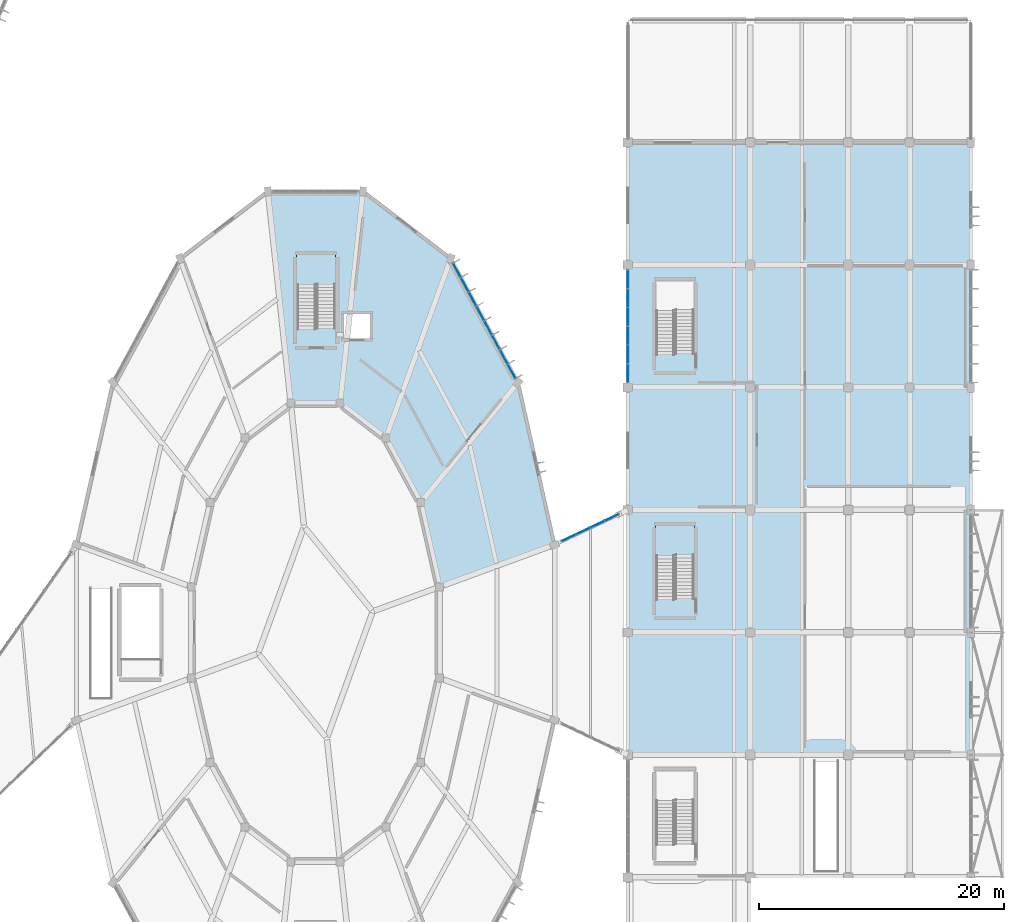
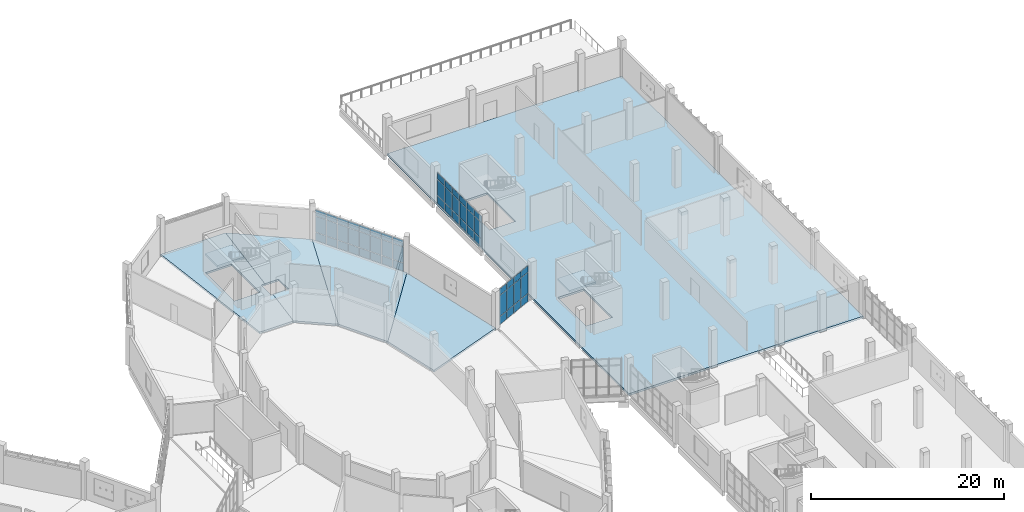
# One storey, part 106 of 179: 54 plates, 7 slabs, 5 elements without a shape of their own.
"""IFC4 building model written with IfcOpenShell, lengths in metres."""

from ifc_helpers import new_model, si_unit, direction, frame, origin, origin_2d, place, context, subcontext, project, spatial, polyline, rectangle, outline, extrude, material, layer, layer_set, type_object, element, aggregate, save


model = new_model("IFC4")

# Units and contexts
model_context = context("Model", 3, precision=1e-05, world=origin(), true_north=direction((0.0, 1.0)))
body_context = subcontext(model_context, "Body", "Model", "MODEL_VIEW")
ifc_project = project(units=[si_unit("LENGTHUNIT", "METRE"), si_unit("AREAUNIT", "SQUARE_METRE"), si_unit("VOLUMEUNIT", "CUBIC_METRE"), si_unit("PLANEANGLEUNIT", "RADIAN"), si_unit("MASSUNIT", "GRAM", prefix="KILO")], contexts=[model_context])

# Site, building, storey
site_placement = place(None, origin())
site = spatial("IfcSite", under=ifc_project, at=site_placement, CompositionType="ELEMENT")
building_placement = place(site_placement, origin())
building = spatial("IfcBuilding", under=site, at=building_placement, Name="Corvandel Quay Wholesale Market", CompositionType="ELEMENT")
storey_placement = place(building_placement, frame((0.0, 0.0, 6.0)))
storey = spatial("IfcBuildingStorey", under=building, at=storey_placement, Name="L01", CompositionType="ELEMENT", Elevation=6.0)

# Curtain wall, plates
ifc_material_1 = material(Name="Bronze anodised aluminium and low-E insulated glazing", Category="aluminium")
ifc_layer_1 = layer(ifc_material_1, 0.162109375)
ifc_layer_set_1 = layer_set([ifc_layer_1], Name="Bronze anodised aluminium and low-E insulated glazing")
curtain_wall_type_1 = type_object("IfcCurtainWallType", Name="Stick Curtain Wall System CW11 H3990", PredefinedType="NOTDEFINED", material=ifc_layer_set_1)
curtain_wall_1_placement = place(storey_placement, origin())
curtain_wall_1 = element("IfcCurtainWall", 1, at=curtain_wall_1_placement, inside=storey, type_object=curtain_wall_type_1, Name="Curtain Wall CW-0131", PredefinedType="NOTDEFINED")
ifc_material_2 = material(Name="Solar-control low-E insulated glazing", Category="glass")
ifc_layer_2 = layer(ifc_material_2, 0.0400390625)
ifc_layer_set_2 = layer_set([ifc_layer_2], Name="Solar-control low-E insulated glazing")
plate_type_1 = type_object("IfcPlateType", Name="Ceramic Fritted Spandrel Panel PN03 40mm", PredefinedType="CURTAIN_PANEL", material=ifc_layer_set_2)
plate_1_placement = place(storey_placement, frame((210.521484375, 81.332763671875, 3.1298828125), z_axis=(0.0, 0.0, 1.0), x_axis=(-0.476238203668, 0.879316310191, 0.0)))
plate_1 = element("IfcPlate", 2, at=plate_1_placement, type_object=plate_type_1, Name="Glazing Panel CW-0131-P00-2", PredefinedType="CURTAIN_PANEL", context=body_context, shape_type="SweptSolid", body=[
    extrude(rectangle(XDim=1.274658203125, YDim=0.0400390625, at=origin_2d()), origin(), (0.0, 0.0, 1.0), 0.7900390625),
])
plate_2_placement = place(storey_placement, frame((209.883544921875, 82.510498046875, 3.1298828125), z_axis=(0.0, 0.0, 1.0), x_axis=(-0.476238203668, 0.879316310191, 0.0)))
plate_2 = element("IfcPlate", 3, at=plate_2_placement, type_object=plate_type_1, Name="Glazing Panel CW-0131-P01-2", PredefinedType="CURTAIN_PANEL", context=body_context, shape_type="SweptSolid", body=[
    extrude(rectangle(XDim=1.274658203125, YDim=0.0400390625, at=origin_2d()), origin(), (0.0, 0.0, 1.0), 0.7900390625),
])
plate_3_placement = place(storey_placement, frame((209.24560546875, 83.688720703125, 3.1298828125), z_axis=(0.0, 0.0, 1.0), x_axis=(-0.476238203668, 0.879316310191, 0.0)))
plate_3 = element("IfcPlate", 4, at=plate_3_placement, type_object=plate_type_1, Name="Glazing Panel CW-0131-P02-2", PredefinedType="CURTAIN_PANEL", context=body_context, shape_type="SweptSolid", body=[
    extrude(rectangle(XDim=1.274658203125, YDim=0.0400390625, at=origin_2d()), origin(), (0.0, 0.0, 1.0), 0.7900390625),
])
plate_4_placement = place(storey_placement, frame((208.607421875, 84.866455078125, 3.1298828125), z_axis=(0.0, 0.0, 1.0), x_axis=(-0.476238203668, 0.879316310191, 0.0)))
plate_4 = element("IfcPlate", 5, at=plate_4_placement, type_object=plate_type_1, Name="Glazing Panel CW-0131-P03-2", PredefinedType="CURTAIN_PANEL", context=body_context, shape_type="SweptSolid", body=[
    extrude(rectangle(XDim=1.274658203125, YDim=0.0400390625, at=origin_2d()), origin(), (0.0, 0.0, 1.0), 0.7900390625),
])
plate_5_placement = place(storey_placement, frame((207.969482421875, 86.04443359375, 3.1298828125), z_axis=(0.0, 0.0, 1.0), x_axis=(-0.476238203668, 0.879316310191, 0.0)))
plate_5 = element("IfcPlate", 6, at=plate_5_placement, type_object=plate_type_1, Name="Glazing Panel CW-0131-P04-2", PredefinedType="CURTAIN_PANEL", context=body_context, shape_type="SweptSolid", body=[
    extrude(rectangle(XDim=1.274658203125, YDim=0.0400390625, at=origin_2d()), origin(), (0.0, 0.0, 1.0), 0.7900390625),
])
plate_6_placement = place(storey_placement, frame((207.33154296875, 87.222412109375, 3.1298828125), z_axis=(0.0, 0.0, 1.0), x_axis=(-0.476238203668, 0.879316310191, 0.0)))
plate_6 = element("IfcPlate", 7, at=plate_6_placement, type_object=plate_type_1, Name="Glazing Panel CW-0131-P05-2", PredefinedType="CURTAIN_PANEL", context=body_context, shape_type="SweptSolid", body=[
    extrude(rectangle(XDim=1.274658203125, YDim=0.0400390625, at=origin_2d()), origin(), (0.0, 0.0, 1.0), 0.7900390625),
])
plate_7_placement = place(storey_placement, frame((206.693603515625, 88.400390625, 3.1298828125), z_axis=(0.0, 0.0, 1.0), x_axis=(-0.476238203668, 0.879316310191, 0.0)))
plate_7 = element("IfcPlate", 8, at=plate_7_placement, type_object=plate_type_1, Name="Glazing Panel CW-0131-P06-2", PredefinedType="CURTAIN_PANEL", context=body_context, shape_type="SweptSolid", body=[
    extrude(rectangle(XDim=1.274658203125, YDim=0.0400390625, at=origin_2d()), origin(), (0.0, 0.0, 1.0), 0.7900390625),
])
plate_8_placement = place(storey_placement, frame((206.055419921875, 89.578369140625, 3.1298828125), z_axis=(0.0, 0.0, 1.0), x_axis=(-0.476238203668, 0.879316310191, 0.0)))
plate_8 = element("IfcPlate", 9, at=plate_8_placement, type_object=plate_type_1, Name="Glazing Panel CW-0131-P07-2", PredefinedType="CURTAIN_PANEL", context=body_context, shape_type="SweptSolid", body=[
    extrude(rectangle(XDim=1.274658203125, YDim=0.0400390625, at=origin_2d()), origin(), (0.0, 0.0, 1.0), 0.7900390625),
])

ifc_layer_3 = layer(ifc_material_1, 0.162109375)
ifc_layer_set_3 = layer_set([ifc_layer_3], Name="Bronze anodised aluminium and low-E insulated glazing")
curtain_wall_type_2 = type_object("IfcCurtainWallType", Name="Stick Curtain Wall System CW26 H5340", PredefinedType="NOTDEFINED", material=ifc_layer_set_3)
curtain_wall_2_placement = place(storey_placement, origin())
curtain_wall_2 = element("IfcCurtainWall", 10, at=curtain_wall_2_placement, inside=storey, type_object=curtain_wall_type_2, Name="Curtain Wall CW-0155", PredefinedType="NOTDEFINED")
plate_9_placement = place(storey_placement, frame((220.0, 81.166748046875, 3.1298828125), z_axis=(0.0, 0.0, 1.0), x_axis=(0.0, 1.0, 0.0)))
plate_9 = element("IfcPlate", 11, at=plate_9_placement, type_object=plate_type_1, Name="Glazing Panel CW-0155-P00-2", PredefinedType="CURTAIN_PANEL", context=body_context, shape_type="SweptSolid", body=[
    extrude(rectangle(XDim=1.46826171875, YDim=0.0400390625, at=origin_2d()), origin(), (0.0, 0.0, 1.0), 0.7900390625),
])
plate_10_placement = place(storey_placement, frame((220.0, 82.699951171875, 3.1298828125), z_axis=(0.0, 0.0, 1.0), x_axis=(0.0, 1.0, 0.0)))
plate_10 = element("IfcPlate", 12, at=plate_10_placement, type_object=plate_type_1, Name="Glazing Panel CW-0155-P01-2", PredefinedType="CURTAIN_PANEL", context=body_context, shape_type="SweptSolid", body=[
    extrude(rectangle(XDim=1.46826171875, YDim=0.0400390625, at=origin_2d()), origin(), (0.0, 0.0, 1.0), 0.7900390625),
])
plate_11_placement = place(storey_placement, frame((220.0, 84.2333984375, 3.1298828125), z_axis=(0.0, 0.0, 1.0), x_axis=(0.0, 1.0, 0.0)))
plate_11 = element("IfcPlate", 13, at=plate_11_placement, type_object=plate_type_1, Name="Glazing Panel CW-0155-P02-2", PredefinedType="CURTAIN_PANEL", context=body_context, shape_type="SweptSolid", body=[
    extrude(rectangle(XDim=1.46826171875, YDim=0.0400390625, at=origin_2d()), origin(), (0.0, 0.0, 1.0), 0.7900390625),
])
plate_12_placement = place(storey_placement, frame((220.0, 85.7666015625, 3.1298828125), z_axis=(0.0, 0.0, 1.0), x_axis=(0.0, 1.0, 0.0)))
plate_12 = element("IfcPlate", 14, at=plate_12_placement, type_object=plate_type_1, Name="Glazing Panel CW-0155-P03-2", PredefinedType="CURTAIN_PANEL", context=body_context, shape_type="SweptSolid", body=[
    extrude(rectangle(XDim=1.46826171875, YDim=0.0400390625, at=origin_2d()), origin(), (0.0, 0.0, 1.0), 0.7900390625),
])
plate_13_placement = place(storey_placement, frame((220.0, 87.300048828125, 3.1298828125), z_axis=(0.0, 0.0, 1.0), x_axis=(0.0, 1.0, 0.0)))
plate_13 = element("IfcPlate", 15, at=plate_13_placement, type_object=plate_type_1, Name="Glazing Panel CW-0155-P04-2", PredefinedType="CURTAIN_PANEL", context=body_context, shape_type="SweptSolid", body=[
    extrude(rectangle(XDim=1.46826171875, YDim=0.0400390625, at=origin_2d()), origin(), (0.0, 0.0, 1.0), 0.7900390625),
])
plate_14_placement = place(storey_placement, frame((220.0, 88.833251953125, 3.1298828125), z_axis=(0.0, 0.0, 1.0), x_axis=(0.0, 1.0, 0.0)))
plate_14 = element("IfcPlate", 16, at=plate_14_placement, type_object=plate_type_1, Name="Glazing Panel CW-0155-P05-2", PredefinedType="CURTAIN_PANEL", context=body_context, shape_type="SweptSolid", body=[
    extrude(rectangle(XDim=1.46826171875, YDim=0.0400390625, at=origin_2d()), origin(), (0.0, 0.0, 1.0), 0.7900390625),
])

ifc_layer_4 = layer(ifc_material_1, 0.197998046875)
ifc_layer_set_4 = layer_set([ifc_layer_4], Name="Bronze anodised aluminium and low-E insulated glazing")
curtain_wall_type_3 = type_object("IfcCurtainWallType", Name="Stick Curtain Wall System CW24 H5160", PredefinedType="NOTDEFINED", material=ifc_layer_set_4)
curtain_wall_3_placement = place(storey_placement, origin())
curtain_wall_3 = element("IfcCurtainWall", 17, at=curtain_wall_3_placement, inside=storey, type_object=curtain_wall_type_3, Name="Curtain Wall CW-0181", PredefinedType="NOTDEFINED")
plate_15_placement = place(storey_placement, frame((215.186767578125, 67.722412109375, 3.7275390625), z_axis=(0.0, 0.0, 1.0), x_axis=(0.903933318548, 0.427673421689, 0.0)))
plate_15 = element("IfcPlate", 18, at=plate_15_placement, type_object=plate_type_1, Name="Glazing Panel CW-0181-P00-2", PredefinedType="CURTAIN_PANEL", context=body_context, shape_type="SweptSolid", body=[
    extrude(rectangle(XDim=1.235595703125, YDim=0.0400390625, at=origin_2d()), origin(), (0.0, 0.0, 1.0), 0.794921875),
])
plate_16_placement = place(storey_placement, frame((216.35791015625, 68.276611328125, 3.7275390625), z_axis=(0.0, 0.0, 1.0), x_axis=(0.903933318548, 0.427673421689, 0.0)))
plate_16 = element("IfcPlate", 19, at=plate_16_placement, type_object=plate_type_1, Name="Glazing Panel CW-0181-P01-2", PredefinedType="CURTAIN_PANEL", context=body_context, shape_type="SweptSolid", body=[
    extrude(rectangle(XDim=1.235595703125, YDim=0.0400390625, at=origin_2d()), origin(), (0.0, 0.0, 1.0), 0.794921875),
])
plate_17_placement = place(storey_placement, frame((217.529052734375, 68.830810546875, 3.7275390625), z_axis=(0.0, 0.0, 1.0), x_axis=(0.903933318548, 0.427673421689, 0.0)))
plate_17 = element("IfcPlate", 20, at=plate_17_placement, type_object=plate_type_1, Name="Glazing Panel CW-0181-P02-2", PredefinedType="CURTAIN_PANEL", context=body_context, shape_type="SweptSolid", body=[
    extrude(rectangle(XDim=1.235595703125, YDim=0.0400390625, at=origin_2d()), origin(), (0.0, 0.0, 1.0), 0.794921875),
])
plate_18_placement = place(storey_placement, frame((218.7001953125, 69.385009765625, 3.7275390625), z_axis=(0.0, 0.0, 1.0), x_axis=(0.903933318548, 0.427673421689, 0.0)))
plate_18 = element("IfcPlate", 21, at=plate_18_placement, type_object=plate_type_1, Name="Glazing Panel CW-0181-P03-2", PredefinedType="CURTAIN_PANEL", context=body_context, shape_type="SweptSolid", body=[
    extrude(rectangle(XDim=1.235595703125, YDim=0.0400390625, at=origin_2d()), origin(), (0.0, 0.0, 1.0), 0.794921875),
])

# Slabs
ifc_material_3 = material(Name="Concrete C40/50", Category="concrete")
ifc_layer_5 = layer(ifc_material_3, 0.260009765625)
ifc_layer_set_5 = layer_set([ifc_layer_5], Name="Concrete C40/50")
slab_type_1 = type_object("IfcSlabType", Name="Composite Market Canteen Floor Slab 260", PredefinedType="FLOOR", material=ifc_layer_set_5)
slab_1_placement = place(storey_placement, frame((0.0, 0.0, -0.260009765625)))
element("IfcSlab", 22, at=slab_1_placement, inside=storey, type_object=slab_type_1, Name="Slab SLB-0464", PredefinedType="FLOOR", context=body_context, shape_type="SweptSolid", body=[
    extrude(outline(polyline([(220.0, 100.0), (248.0, 100.0), (248.0, 50.0), (220.0, 50.0), (220.0, 100.0)]), holes=[polyline([(225.39990234375, 62.800048828125), (225.39990234375, 68.699951171875), (222.300048828125, 68.699951171875), (222.300048828125, 62.800048828125), (225.39990234375, 62.800048828125)]), polyline([(225.39990234375, 82.800048828125), (225.39990234375, 88.699951171875), (222.300048828125, 88.699951171875), (222.300048828125, 82.800048828125), (225.39990234375, 82.800048828125)])]), origin(), (0.0, 0.0, 1.0), 0.260009765625),
])
ifc_layer_6 = layer(ifc_material_3, 0.239990234375)
ifc_layer_set_6 = layer_set([ifc_layer_6], Name="Concrete C40/50")
slab_type_2 = type_object("IfcSlabType", Name="Composite Raked Auction Tier Slab 240", PredefinedType="FLOOR", material=ifc_layer_set_6)
slab_2_placement = place(storey_placement, frame((0.0, 0.0, -0.239990234375)))
element("IfcSlab", 23, at=slab_2_placement, inside=storey, type_object=slab_type_2, Name="Slab SLB-0384", PredefinedType="FLOOR", context=body_context, shape_type="SweptSolid", body=[
    extrude(outline(polyline([(204.639892578125, 63.72412109375), (203.095947265625, 70.60400390625), (211.031005859375, 80.39208984375), (214.0, 67.160888671875), (204.639892578125, 63.72412109375)])), origin(), (0.0, 0.0, 1.0), 0.239990234375),
])
slab_3_placement = place(storey_placement, frame((0.0, 0.0, -0.239990234375)))
element("IfcSlab", 24, at=slab_3_placement, inside=storey, type_object=slab_type_2, Name="Slab SLB-0388", PredefinedType="FLOOR", context=body_context, shape_type="SweptSolid", body=[
    extrude(outline(polyline([(203.095947265625, 70.60400390625), (200.243896484375, 75.8701171875), (205.5458984375, 90.51904296875), (211.031005859375, 80.39208984375), (203.095947265625, 70.60400390625)])), origin(), (0.0, 0.0, 1.0), 0.239990234375),
])
slab_4_placement = place(storey_placement, frame((0.0, 0.0, -0.239990234375)))
element("IfcSlab", 25, at=slab_4_placement, inside=storey, type_object=slab_type_2, Name="Slab SLB-0392", PredefinedType="FLOOR", context=body_context, shape_type="SweptSolid", body=[
    extrude(outline(polyline([(198.37890625, 96.0), (205.5458984375, 90.51904296875), (200.243896484375, 75.8701171875), (196.51708984375, 78.719970703125), (197.0859375, 84.0), (198.949951171875, 84.0), (198.949951171875, 86.0), (197.301025390625, 86.0), (198.37890625, 96.0)])), origin(), (0.0, 0.0, 1.0), 0.239990234375),
])
slab_5_placement = place(storey_placement, frame((0.0, 0.0, -0.239990234375)))
element("IfcSlab", 26, at=slab_5_placement, inside=storey, type_object=slab_type_2, Name="Slab SLB-0396", PredefinedType="FLOOR", context=body_context, shape_type="SweptSolid", body=[
    extrude(outline(polyline([(196.51708984375, 78.719970703125), (192.48291015625, 78.719970703125), (190.62109375, 96.0), (198.37890625, 96.0), (197.301025390625, 86.0), (196.85009765625, 86.0), (196.85009765625, 84.0), (197.0859375, 84.0), (196.51708984375, 78.719970703125)]), holes=[polyline([(193.0, 84.89990234375), (196.10009765625, 84.89990234375), (196.10009765625, 90.800048828125), (193.0, 90.800048828125), (193.0, 84.89990234375)])]), origin(), (0.0, 0.0, 1.0), 0.239990234375),
])

# Plate
ifc_layer_7 = layer(ifc_material_2, 0.028076171875)
ifc_layer_set_7 = layer_set([ifc_layer_7], Name="Solar-control low-E insulated glazing")
plate_type_2 = type_object("IfcPlateType", Name="Double Low-E Vision Panel PN01 28mm", PredefinedType="CURTAIN_PANEL", material=ifc_layer_set_7)
plate_19_placement = place(storey_placement, frame((210.521484375, 81.332763671875, 0.02978515625), z_axis=(0.0, 0.0, 1.0), x_axis=(-0.476238203668, 0.879316310191, 0.0)))
plate_19 = element("IfcPlate", 27, at=plate_19_placement, type_object=plate_type_2, Name="Glazing Panel CW-0131-P00-0", PredefinedType="CURTAIN_PANEL", context=body_context, shape_type="SweptSolid", body=[
    extrude(rectangle(XDim=1.274658203125, YDim=0.028076171875, at=origin_2d()), origin(), (0.0, 0.0, 1.0), 0.989990234375),
])

plate_20_placement = place(storey_placement, frame((210.521484375, 81.332763671875, 1.080078125), z_axis=(0.0, 0.0, 1.0), x_axis=(-0.476238203668, 0.879316310191, 0.0)))
plate_20 = element("IfcPlate", 28, at=plate_20_placement, type_object=plate_type_2, Name="Glazing Panel CW-0131-P00-1", PredefinedType="CURTAIN_PANEL", context=body_context, shape_type="SweptSolid", body=[
    extrude(rectangle(XDim=1.274658203125, YDim=0.028076171875, at=origin_2d()), origin(), (0.0, 0.0, 1.0), 1.989990234375),
])

plate_21_placement = place(storey_placement, frame((209.883544921875, 82.510498046875, 0.02978515625), z_axis=(0.0, 0.0, 1.0), x_axis=(-0.476238203668, 0.879316310191, 0.0)))
plate_21 = element("IfcPlate", 29, at=plate_21_placement, type_object=plate_type_2, Name="Glazing Panel CW-0131-P01-0", PredefinedType="CURTAIN_PANEL", context=body_context, shape_type="SweptSolid", body=[
    extrude(rectangle(XDim=1.274658203125, YDim=0.028076171875, at=origin_2d()), origin(), (0.0, 0.0, 1.0), 0.989990234375),
])

plate_22_placement = place(storey_placement, frame((209.883544921875, 82.510498046875, 1.080078125), z_axis=(0.0, 0.0, 1.0), x_axis=(-0.476238203668, 0.879316310191, 0.0)))
plate_22 = element("IfcPlate", 30, at=plate_22_placement, type_object=plate_type_2, Name="Glazing Panel CW-0131-P01-1", PredefinedType="CURTAIN_PANEL", context=body_context, shape_type="SweptSolid", body=[
    extrude(rectangle(XDim=1.274658203125, YDim=0.028076171875, at=origin_2d()), origin(), (0.0, 0.0, 1.0), 1.989990234375),
])

plate_23_placement = place(storey_placement, frame((209.24560546875, 83.688720703125, 0.02978515625), z_axis=(0.0, 0.0, 1.0), x_axis=(-0.476238203668, 0.879316310191, 0.0)))
plate_23 = element("IfcPlate", 31, at=plate_23_placement, type_object=plate_type_2, Name="Glazing Panel CW-0131-P02-0", PredefinedType="CURTAIN_PANEL", context=body_context, shape_type="SweptSolid", body=[
    extrude(rectangle(XDim=1.274658203125, YDim=0.028076171875, at=origin_2d()), origin(), (0.0, 0.0, 1.0), 0.989990234375),
])

plate_24_placement = place(storey_placement, frame((209.24560546875, 83.688720703125, 1.080078125), z_axis=(0.0, 0.0, 1.0), x_axis=(-0.476238203668, 0.879316310191, 0.0)))
plate_24 = element("IfcPlate", 32, at=plate_24_placement, type_object=plate_type_2, Name="Glazing Panel CW-0131-P02-1", PredefinedType="CURTAIN_PANEL", context=body_context, shape_type="SweptSolid", body=[
    extrude(rectangle(XDim=1.274658203125, YDim=0.028076171875, at=origin_2d()), origin(), (0.0, 0.0, 1.0), 1.989990234375),
])

plate_25_placement = place(storey_placement, frame((208.607421875, 84.866455078125, 0.02978515625), z_axis=(0.0, 0.0, 1.0), x_axis=(-0.476238203668, 0.879316310191, 0.0)))
plate_25 = element("IfcPlate", 33, at=plate_25_placement, type_object=plate_type_2, Name="Glazing Panel CW-0131-P03-0", PredefinedType="CURTAIN_PANEL", context=body_context, shape_type="SweptSolid", body=[
    extrude(rectangle(XDim=1.274658203125, YDim=0.028076171875, at=origin_2d()), origin(), (0.0, 0.0, 1.0), 0.989990234375),
])

plate_26_placement = place(storey_placement, frame((208.607421875, 84.866455078125, 1.080078125), z_axis=(0.0, 0.0, 1.0), x_axis=(-0.476238203668, 0.879316310191, 0.0)))
plate_26 = element("IfcPlate", 34, at=plate_26_placement, type_object=plate_type_2, Name="Glazing Panel CW-0131-P03-1", PredefinedType="CURTAIN_PANEL", context=body_context, shape_type="SweptSolid", body=[
    extrude(rectangle(XDim=1.274658203125, YDim=0.028076171875, at=origin_2d()), origin(), (0.0, 0.0, 1.0), 1.989990234375),
])

plate_27_placement = place(storey_placement, frame((207.969482421875, 86.04443359375, 0.02978515625), z_axis=(0.0, 0.0, 1.0), x_axis=(-0.476238203668, 0.879316310191, 0.0)))
plate_27 = element("IfcPlate", 35, at=plate_27_placement, type_object=plate_type_2, Name="Glazing Panel CW-0131-P04-0", PredefinedType="CURTAIN_PANEL", context=body_context, shape_type="SweptSolid", body=[
    extrude(rectangle(XDim=1.274658203125, YDim=0.028076171875, at=origin_2d()), origin(), (0.0, 0.0, 1.0), 0.989990234375),
])

plate_28_placement = place(storey_placement, frame((207.969482421875, 86.04443359375, 1.080078125), z_axis=(0.0, 0.0, 1.0), x_axis=(-0.476238203668, 0.879316310191, 0.0)))
plate_28 = element("IfcPlate", 36, at=plate_28_placement, type_object=plate_type_2, Name="Glazing Panel CW-0131-P04-1", PredefinedType="CURTAIN_PANEL", context=body_context, shape_type="SweptSolid", body=[
    extrude(rectangle(XDim=1.274658203125, YDim=0.028076171875, at=origin_2d()), origin(), (0.0, 0.0, 1.0), 1.989990234375),
])

plate_29_placement = place(storey_placement, frame((207.33154296875, 87.222412109375, 0.02978515625), z_axis=(0.0, 0.0, 1.0), x_axis=(-0.476238203668, 0.879316310191, 0.0)))
plate_29 = element("IfcPlate", 37, at=plate_29_placement, type_object=plate_type_2, Name="Glazing Panel CW-0131-P05-0", PredefinedType="CURTAIN_PANEL", context=body_context, shape_type="SweptSolid", body=[
    extrude(rectangle(XDim=1.274658203125, YDim=0.028076171875, at=origin_2d()), origin(), (0.0, 0.0, 1.0), 0.989990234375),
])

plate_30_placement = place(storey_placement, frame((207.33154296875, 87.222412109375, 1.080078125), z_axis=(0.0, 0.0, 1.0), x_axis=(-0.476238203668, 0.879316310191, 0.0)))
plate_30 = element("IfcPlate", 38, at=plate_30_placement, type_object=plate_type_2, Name="Glazing Panel CW-0131-P05-1", PredefinedType="CURTAIN_PANEL", context=body_context, shape_type="SweptSolid", body=[
    extrude(rectangle(XDim=1.274658203125, YDim=0.028076171875, at=origin_2d()), origin(), (0.0, 0.0, 1.0), 1.989990234375),
])

plate_31_placement = place(storey_placement, frame((206.693603515625, 88.400390625, 0.02978515625), z_axis=(0.0, 0.0, 1.0), x_axis=(-0.476238203668, 0.879316310191, 0.0)))
plate_31 = element("IfcPlate", 39, at=plate_31_placement, type_object=plate_type_2, Name="Glazing Panel CW-0131-P06-0", PredefinedType="CURTAIN_PANEL", context=body_context, shape_type="SweptSolid", body=[
    extrude(rectangle(XDim=1.274658203125, YDim=0.028076171875, at=origin_2d()), origin(), (0.0, 0.0, 1.0), 0.989990234375),
])

plate_32_placement = place(storey_placement, frame((206.693603515625, 88.400390625, 1.080078125), z_axis=(0.0, 0.0, 1.0), x_axis=(-0.476238203668, 0.879316310191, 0.0)))
plate_32 = element("IfcPlate", 40, at=plate_32_placement, type_object=plate_type_2, Name="Glazing Panel CW-0131-P06-1", PredefinedType="CURTAIN_PANEL", context=body_context, shape_type="SweptSolid", body=[
    extrude(rectangle(XDim=1.274658203125, YDim=0.028076171875, at=origin_2d()), origin(), (0.0, 0.0, 1.0), 1.989990234375),
])

plate_33_placement = place(storey_placement, frame((206.055419921875, 89.578369140625, 0.02978515625), z_axis=(0.0, 0.0, 1.0), x_axis=(-0.476238203668, 0.879316310191, 0.0)))
plate_33 = element("IfcPlate", 41, at=plate_33_placement, type_object=plate_type_2, Name="Glazing Panel CW-0131-P07-0", PredefinedType="CURTAIN_PANEL", context=body_context, shape_type="SweptSolid", body=[
    extrude(rectangle(XDim=1.274658203125, YDim=0.028076171875, at=origin_2d()), origin(), (0.0, 0.0, 1.0), 0.989990234375),
])

plate_34_placement = place(storey_placement, frame((206.055419921875, 89.578369140625, 1.080078125), z_axis=(0.0, 0.0, 1.0), x_axis=(-0.476238203668, 0.879316310191, 0.0)))
plate_34 = element("IfcPlate", 42, at=plate_34_placement, type_object=plate_type_2, Name="Glazing Panel CW-0131-P07-1", PredefinedType="CURTAIN_PANEL", context=body_context, shape_type="SweptSolid", body=[
    extrude(rectangle(XDim=1.274658203125, YDim=0.028076171875, at=origin_2d()), origin(), (0.0, 0.0, 1.0), 1.989990234375),
])

aggregate(curtain_wall_1, [plate_19, plate_20, plate_1, plate_21, plate_22, plate_2, plate_23, plate_24, plate_3, plate_25, plate_26, plate_4, plate_27, plate_28, plate_5, plate_29, plate_30, plate_6, plate_31, plate_32, plate_7, plate_33, plate_34, plate_8])

plate_35_placement = place(storey_placement, frame((220.0, 81.166748046875, 0.02978515625), z_axis=(0.0, 0.0, 1.0), x_axis=(0.0, 1.0, 0.0)))
plate_35 = element("IfcPlate", 43, at=plate_35_placement, type_object=plate_type_2, Name="Glazing Panel CW-0155-P00-0", PredefinedType="CURTAIN_PANEL", context=body_context, shape_type="SweptSolid", body=[
    extrude(rectangle(XDim=1.46826171875, YDim=0.028076171875, at=origin_2d()), origin(), (0.0, 0.0, 1.0), 0.989990234375),
])

plate_36_placement = place(storey_placement, frame((220.0, 81.166748046875, 1.080078125), z_axis=(0.0, 0.0, 1.0), x_axis=(0.0, 1.0, 0.0)))
plate_36 = element("IfcPlate", 44, at=plate_36_placement, type_object=plate_type_2, Name="Glazing Panel CW-0155-P00-1", PredefinedType="CURTAIN_PANEL", context=body_context, shape_type="SweptSolid", body=[
    extrude(rectangle(XDim=1.46826171875, YDim=0.028076171875, at=origin_2d()), origin(), (0.0, 0.0, 1.0), 1.989990234375),
])

plate_37_placement = place(storey_placement, frame((220.0, 82.699951171875, 0.02978515625), z_axis=(0.0, 0.0, 1.0), x_axis=(0.0, 1.0, 0.0)))
plate_37 = element("IfcPlate", 45, at=plate_37_placement, type_object=plate_type_2, Name="Glazing Panel CW-0155-P01-0", PredefinedType="CURTAIN_PANEL", context=body_context, shape_type="SweptSolid", body=[
    extrude(rectangle(XDim=1.46826171875, YDim=0.028076171875, at=origin_2d()), origin(), (0.0, 0.0, 1.0), 0.989990234375),
])

plate_38_placement = place(storey_placement, frame((220.0, 82.699951171875, 1.080078125), z_axis=(0.0, 0.0, 1.0), x_axis=(0.0, 1.0, 0.0)))
plate_38 = element("IfcPlate", 46, at=plate_38_placement, type_object=plate_type_2, Name="Glazing Panel CW-0155-P01-1", PredefinedType="CURTAIN_PANEL", context=body_context, shape_type="SweptSolid", body=[
    extrude(rectangle(XDim=1.46826171875, YDim=0.028076171875, at=origin_2d()), origin(), (0.0, 0.0, 1.0), 1.989990234375),
])

plate_39_placement = place(storey_placement, frame((220.0, 84.2333984375, 0.02978515625), z_axis=(0.0, 0.0, 1.0), x_axis=(0.0, 1.0, 0.0)))
plate_39 = element("IfcPlate", 47, at=plate_39_placement, type_object=plate_type_2, Name="Glazing Panel CW-0155-P02-0", PredefinedType="CURTAIN_PANEL", context=body_context, shape_type="SweptSolid", body=[
    extrude(rectangle(XDim=1.46826171875, YDim=0.028076171875, at=origin_2d()), origin(), (0.0, 0.0, 1.0), 0.989990234375),
])

plate_40_placement = place(storey_placement, frame((220.0, 84.2333984375, 1.080078125), z_axis=(0.0, 0.0, 1.0), x_axis=(0.0, 1.0, 0.0)))
plate_40 = element("IfcPlate", 48, at=plate_40_placement, type_object=plate_type_2, Name="Glazing Panel CW-0155-P02-1", PredefinedType="CURTAIN_PANEL", context=body_context, shape_type="SweptSolid", body=[
    extrude(rectangle(XDim=1.46826171875, YDim=0.028076171875, at=origin_2d()), origin(), (0.0, 0.0, 1.0), 1.989990234375),
])

plate_41_placement = place(storey_placement, frame((220.0, 85.7666015625, 0.02978515625), z_axis=(0.0, 0.0, 1.0), x_axis=(0.0, 1.0, 0.0)))
plate_41 = element("IfcPlate", 49, at=plate_41_placement, type_object=plate_type_2, Name="Glazing Panel CW-0155-P03-0", PredefinedType="CURTAIN_PANEL", context=body_context, shape_type="SweptSolid", body=[
    extrude(rectangle(XDim=1.46826171875, YDim=0.028076171875, at=origin_2d()), origin(), (0.0, 0.0, 1.0), 0.989990234375),
])

plate_42_placement = place(storey_placement, frame((220.0, 85.7666015625, 1.080078125), z_axis=(0.0, 0.0, 1.0), x_axis=(0.0, 1.0, 0.0)))
plate_42 = element("IfcPlate", 50, at=plate_42_placement, type_object=plate_type_2, Name="Glazing Panel CW-0155-P03-1", PredefinedType="CURTAIN_PANEL", context=body_context, shape_type="SweptSolid", body=[
    extrude(rectangle(XDim=1.46826171875, YDim=0.028076171875, at=origin_2d()), origin(), (0.0, 0.0, 1.0), 1.989990234375),
])

plate_43_placement = place(storey_placement, frame((220.0, 87.300048828125, 0.02978515625), z_axis=(0.0, 0.0, 1.0), x_axis=(0.0, 1.0, 0.0)))
plate_43 = element("IfcPlate", 51, at=plate_43_placement, type_object=plate_type_2, Name="Glazing Panel CW-0155-P04-0", PredefinedType="CURTAIN_PANEL", context=body_context, shape_type="SweptSolid", body=[
    extrude(rectangle(XDim=1.46826171875, YDim=0.028076171875, at=origin_2d()), origin(), (0.0, 0.0, 1.0), 0.989990234375),
])

plate_44_placement = place(storey_placement, frame((220.0, 87.300048828125, 1.080078125), z_axis=(0.0, 0.0, 1.0), x_axis=(0.0, 1.0, 0.0)))
plate_44 = element("IfcPlate", 52, at=plate_44_placement, type_object=plate_type_2, Name="Glazing Panel CW-0155-P04-1", PredefinedType="CURTAIN_PANEL", context=body_context, shape_type="SweptSolid", body=[
    extrude(rectangle(XDim=1.46826171875, YDim=0.028076171875, at=origin_2d()), origin(), (0.0, 0.0, 1.0), 1.989990234375),
])

plate_45_placement = place(storey_placement, frame((220.0, 88.833251953125, 0.02978515625), z_axis=(0.0, 0.0, 1.0), x_axis=(0.0, 1.0, 0.0)))
plate_45 = element("IfcPlate", 53, at=plate_45_placement, type_object=plate_type_2, Name="Glazing Panel CW-0155-P05-0", PredefinedType="CURTAIN_PANEL", context=body_context, shape_type="SweptSolid", body=[
    extrude(rectangle(XDim=1.46826171875, YDim=0.028076171875, at=origin_2d()), origin(), (0.0, 0.0, 1.0), 0.989990234375),
])

plate_46_placement = place(storey_placement, frame((220.0, 88.833251953125, 1.080078125), z_axis=(0.0, 0.0, 1.0), x_axis=(0.0, 1.0, 0.0)))
plate_46 = element("IfcPlate", 54, at=plate_46_placement, type_object=plate_type_2, Name="Glazing Panel CW-0155-P05-1", PredefinedType="CURTAIN_PANEL", context=body_context, shape_type="SweptSolid", body=[
    extrude(rectangle(XDim=1.46826171875, YDim=0.028076171875, at=origin_2d()), origin(), (0.0, 0.0, 1.0), 1.989990234375),
])

aggregate(curtain_wall_2, [plate_35, plate_36, plate_9, plate_37, plate_38, plate_10, plate_39, plate_40, plate_11, plate_41, plate_42, plate_12, plate_43, plate_44, plate_13, plate_45, plate_46, plate_14])

plate_47_placement = place(storey_placement, frame((215.186767578125, 67.722412109375, -0.00244140625), z_axis=(0.0, 0.0, 1.0), x_axis=(0.903933318548, 0.427673421689, 0.0)))
plate_47 = element("IfcPlate", 55, at=plate_47_placement, type_object=plate_type_2, Name="Glazing Panel CW-0181-P00-0", PredefinedType="CURTAIN_PANEL", context=body_context, shape_type="SweptSolid", body=[
    extrude(rectangle(XDim=1.235595703125, YDim=0.028076171875, at=origin_2d()), origin(), (0.0, 0.0, 1.0), 0.9951171875),
])

plate_48_placement = place(storey_placement, frame((215.186767578125, 67.722412109375, 1.047607421875), z_axis=(0.0, 0.0, 1.0), x_axis=(0.903933318548, 0.427673421689, 0.0)))
plate_48 = element("IfcPlate", 56, at=plate_48_placement, type_object=plate_type_2, Name="Glazing Panel CW-0181-P00-1", PredefinedType="CURTAIN_PANEL", context=body_context, shape_type="SweptSolid", body=[
    extrude(rectangle(XDim=1.235595703125, YDim=0.028076171875, at=origin_2d()), origin(), (0.0, 0.0, 1.0), 2.625),
])

plate_49_placement = place(storey_placement, frame((216.35791015625, 68.276611328125, -0.00244140625), z_axis=(0.0, 0.0, 1.0), x_axis=(0.903933318548, 0.427673421689, 0.0)))
plate_49 = element("IfcPlate", 57, at=plate_49_placement, type_object=plate_type_2, Name="Glazing Panel CW-0181-P01-0", PredefinedType="CURTAIN_PANEL", context=body_context, shape_type="SweptSolid", body=[
    extrude(rectangle(XDim=1.235595703125, YDim=0.028076171875, at=origin_2d()), origin(), (0.0, 0.0, 1.0), 0.9951171875),
])

plate_50_placement = place(storey_placement, frame((216.35791015625, 68.276611328125, 1.047607421875), z_axis=(0.0, 0.0, 1.0), x_axis=(0.903933318548, 0.427673421689, 0.0)))
plate_50 = element("IfcPlate", 58, at=plate_50_placement, type_object=plate_type_2, Name="Glazing Panel CW-0181-P01-1", PredefinedType="CURTAIN_PANEL", context=body_context, shape_type="SweptSolid", body=[
    extrude(rectangle(XDim=1.235595703125, YDim=0.028076171875, at=origin_2d()), origin(), (0.0, 0.0, 1.0), 2.625),
])

plate_51_placement = place(storey_placement, frame((217.529052734375, 68.830810546875, -0.00244140625), z_axis=(0.0, 0.0, 1.0), x_axis=(0.903933318548, 0.427673421689, 0.0)))
plate_51 = element("IfcPlate", 59, at=plate_51_placement, type_object=plate_type_2, Name="Glazing Panel CW-0181-P02-0", PredefinedType="CURTAIN_PANEL", context=body_context, shape_type="SweptSolid", body=[
    extrude(rectangle(XDim=1.235595703125, YDim=0.028076171875, at=origin_2d()), origin(), (0.0, 0.0, 1.0), 0.9951171875),
])

plate_52_placement = place(storey_placement, frame((217.529052734375, 68.830810546875, 1.047607421875), z_axis=(0.0, 0.0, 1.0), x_axis=(0.903933318548, 0.427673421689, 0.0)))
plate_52 = element("IfcPlate", 60, at=plate_52_placement, type_object=plate_type_2, Name="Glazing Panel CW-0181-P02-1", PredefinedType="CURTAIN_PANEL", context=body_context, shape_type="SweptSolid", body=[
    extrude(rectangle(XDim=1.235595703125, YDim=0.028076171875, at=origin_2d()), origin(), (0.0, 0.0, 1.0), 2.625),
])

plate_53_placement = place(storey_placement, frame((218.7001953125, 69.385009765625, -0.00244140625), z_axis=(0.0, 0.0, 1.0), x_axis=(0.903933318548, 0.427673421689, 0.0)))
plate_53 = element("IfcPlate", 61, at=plate_53_placement, type_object=plate_type_2, Name="Glazing Panel CW-0181-P03-0", PredefinedType="CURTAIN_PANEL", context=body_context, shape_type="SweptSolid", body=[
    extrude(rectangle(XDim=1.235595703125, YDim=0.028076171875, at=origin_2d()), origin(), (0.0, 0.0, 1.0), 0.9951171875),
])

plate_54_placement = place(storey_placement, frame((218.7001953125, 69.385009765625, 1.047607421875), z_axis=(0.0, 0.0, 1.0), x_axis=(0.903933318548, 0.427673421689, 0.0)))
plate_54 = element("IfcPlate", 62, at=plate_54_placement, type_object=plate_type_2, Name="Glazing Panel CW-0181-P03-1", PredefinedType="CURTAIN_PANEL", context=body_context, shape_type="SweptSolid", body=[
    extrude(rectangle(XDim=1.235595703125, YDim=0.028076171875, at=origin_2d()), origin(), (0.0, 0.0, 1.0), 2.625),
])

aggregate(curtain_wall_3, [plate_47, plate_48, plate_15, plate_49, plate_50, plate_16, plate_51, plate_52, plate_17, plate_53, plate_54, plate_18])

# Stair, slab
stair_type = type_object("IfcStairType", Name="Exit Stair Two-Return L01-L02 ST02", PredefinedType="USERDEFINED", material=ifc_material_3)
stair_1_placement = place(storey_placement, origin())
stair_1 = element("IfcStair", 63, at=stair_1_placement, inside=storey, type_object=stair_type, Name="Exit Stair STR-014", ObjectType="TWO_RETURN_STAIR", PredefinedType="USERDEFINED")
ifc_layer_8 = layer(ifc_material_3, 0.219970703125)
ifc_layer_set_8 = layer_set([ifc_layer_8], Name="Concrete C40/50")
slab_type_3 = type_object("IfcSlabType", Name="Precast Stair Landing LND02 220", PredefinedType="LANDING", material=ifc_layer_set_8)
slab_6_placement = place(storey_placement, frame((0.0, 0.0, 2.179931640625)))
slab_6 = element("IfcSlab", 64, at=slab_6_placement, type_object=slab_type_3, Name="Stair Landing STR-014-LND", PredefinedType="LANDING", context=body_context, shape_type="SweptSolid", body=[
    extrude(outline(polyline([(192.9599609375, 88.2900390625), (196.139892578125, 88.2900390625), (196.139892578125, 90.840087890625), (192.9599609375, 90.840087890625), (192.9599609375, 88.2900390625)])), origin(), (0.0, 0.0, 1.0), 0.219970703125),
])
aggregate(stair_1, [slab_6])

stair_2_placement = place(storey_placement, origin())
stair_2 = element("IfcStair", 65, at=stair_2_placement, inside=storey, type_object=stair_type, Name="Exit Stair STR-033", ObjectType="TWO_RETURN_STAIR", PredefinedType="USERDEFINED")
slab_7_placement = place(storey_placement, frame((0.0, 0.0, 2.179931640625)))
slab_7 = element("IfcSlab", 66, at=slab_7_placement, type_object=slab_type_3, Name="Stair Landing STR-033-LND", PredefinedType="LANDING", context=body_context, shape_type="SweptSolid", body=[
    extrude(outline(polyline([(222.260009765625, 66.18994140625), (225.43994140625, 66.18994140625), (225.43994140625, 68.739990234375), (222.260009765625, 68.739990234375), (222.260009765625, 66.18994140625)])), origin(), (0.0, 0.0, 1.0), 0.219970703125),
])
aggregate(stair_2, [slab_7])

save(model, "model.ifc")
